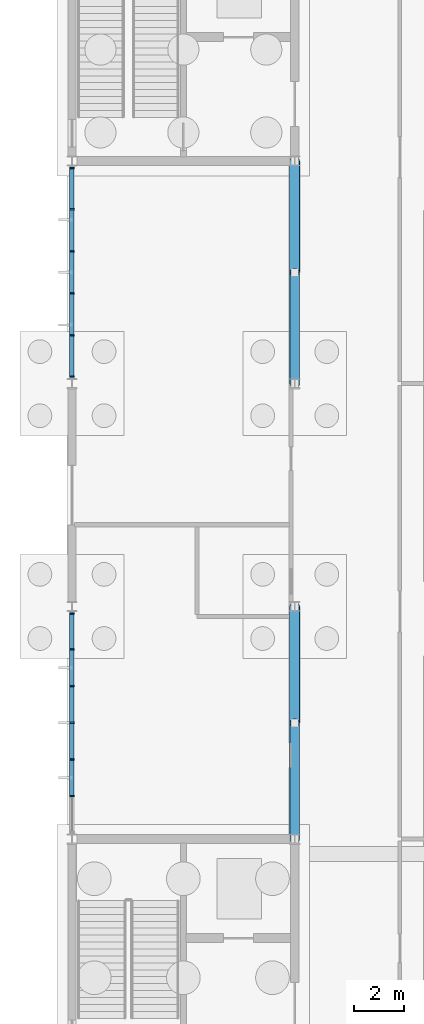
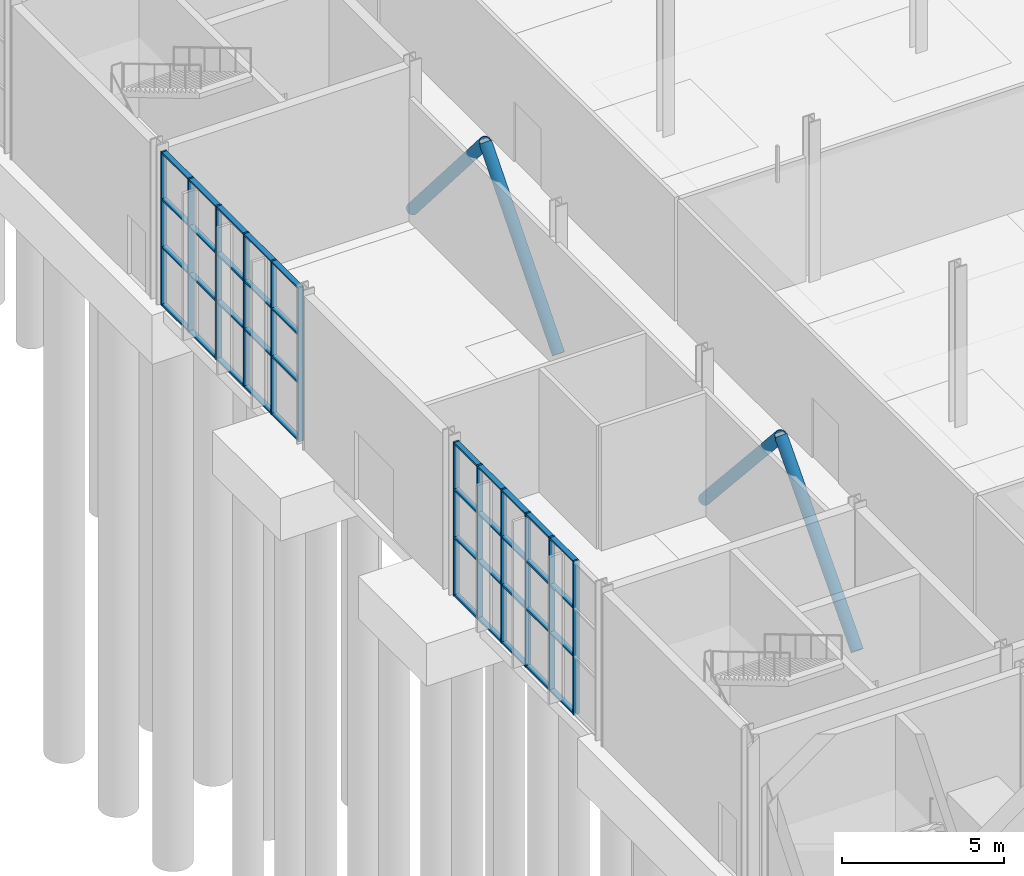
# One storey, part 50 of 131: 56 members, 2 elements without a shape of their own.
"""IFC4 building model written with IfcOpenShell, lengths in metres."""

import ifcopenshell
import ifcopenshell.guid

model = None  # the IFC model being written
_history = None  # IfcOwnerHistory: only IFC2X3 demands one
_inside = {}  # id of a spatial element -> (the spatial element, [elements in it])
_under = {}  # id of a project, library or spatial element -> (it, [spatial elements below it])
_declared = {}  # id of a project -> (the project, [libraries it declares])
_typed = {}  # id of a type object -> (the type object, [elements of that type])
_made_of = {}  # id of a material, layer set ... -> (it, [elements and type objects made of it])


def new_model(schema):
    """Start an empty IFC model of exactly this schema.

    Asked for "IFC4X3", IfcOpenShell would pick the latest addendum, in which some entities
    have other attributes; the version numbers below select the first issue.
    IFC2X3 requires an IfcOwnerHistory on every rooted entity: one is made here for all.
    """
    global model, _history
    if schema == "IFC4X3":
        model = ifcopenshell.file(schema_version=(4, 3, 0, 0))
    else:
        model = ifcopenshell.file(schema=schema)
    _inside.clear()
    _under.clear()
    _declared.clear()
    _typed.clear()
    _made_of.clear()
    _history = None
    if model.schema == "IFC2X3":
        org = make("IfcOrganization", Name="unknown")
        user = make(
            "IfcPersonAndOrganization",
            ThePerson=make("IfcPerson", FamilyName="unknown"),
            TheOrganization=org,
        )
        app = make(
            "IfcApplication",
            ApplicationDeveloper=org,
            Version="unknown",
            ApplicationFullName="unknown",
            ApplicationIdentifier="unknown",
        )
        _history = make(
            "IfcOwnerHistory",
            OwningUser=user,
            OwningApplication=app,
            ChangeAction="ADDED",
            CreationDate=0,
        )
    return model


def make(cls, **values):
    """One entity of the class cls with the attributes given. An attribute that is None is left unset."""
    return model.create_entity(
        cls, **{name: value for name, value in values.items() if value is not None}
    )


def rooted(cls, **values):
    """An entity with a GlobalId (a new one), such as an element, a storey or a relation."""
    return make(cls, GlobalId=ifcopenshell.guid.new(), OwnerHistory=_history, **values)


def si_unit(unit_type, name, prefix=None):
    """IfcSIUnit, for example si_unit("LENGTHUNIT", "METRE", prefix="MILLI")."""
    return make("IfcSIUnit", UnitType=unit_type, Prefix=prefix, Name=name)


def assignment(units):
    """IfcUnitAssignment: the units of a project."""
    return None if units is None else make("IfcUnitAssignment", Units=units)


def point(xyz):
    """IfcCartesianPoint."""
    return None if xyz is None else make("IfcCartesianPoint", Coordinates=xyz)


def direction(xyz):
    """IfcDirection."""
    return None if xyz is None else make("IfcDirection", DirectionRatios=xyz)


def frame(location, z_axis=None, x_axis=None):
    """IfcAxis2Placement3D, a coordinate frame: its origin and axes. An axis left out is left unset."""
    return make(
        "IfcAxis2Placement3D",
        Location=point(location),
        Axis=direction(z_axis),
        RefDirection=direction(x_axis),
    )


def frame_2d(location, x_axis=None):
    """IfcAxis2Placement2D, a coordinate frame in the plane: its origin and x axis."""
    return make(
        "IfcAxis2Placement2D", Location=point(location), RefDirection=direction(x_axis)
    )


def origin():
    """The frame at (0, 0, 0) with its axes left unset."""
    return frame((0.0, 0.0, 0.0))


def origin_2d():
    """The frame at (0, 0) in the plane with its x axis left unset."""
    return frame_2d((0.0, 0.0))


def place(relative_to, where):
    """IfcLocalPlacement: puts the frame where relative to a parent placement (None: the world)."""
    return make(
        "IfcLocalPlacement", PlacementRelTo=relative_to, RelativePlacement=where
    )


def context(
    kind, dimensions, precision=None, world=None, true_north=None, identifier=None
):
    """IfcGeometricRepresentationContext, for example the 3D "Model" context."""
    return make(
        "IfcGeometricRepresentationContext",
        ContextIdentifier=identifier,
        ContextType=kind,
        CoordinateSpaceDimension=dimensions,
        Precision=precision,
        WorldCoordinateSystem=world,
        TrueNorth=true_north,
    )


def subcontext(parent, identifier, kind, view, scale=None):
    """IfcGeometricRepresentationSubContext, for example "Body" below "Model"."""
    return make(
        "IfcGeometricRepresentationSubContext",
        ContextIdentifier=identifier,
        ContextType=kind,
        ParentContext=parent,
        TargetScale=scale,
        TargetView=view,
    )


def project(units=None, contexts=None):
    """IfcProject with its units and contexts."""
    return rooted(
        "IfcProject",
        Name="project",
        RepresentationContexts=contexts,
        UnitsInContext=assignment(units),
    )


def spatial(cls, under=None, at=None, **own):
    """A site, building, storey or space (cls), placed at a placement, below another one or the project."""
    s = rooted(cls, ObjectPlacement=at, **own)
    if under is not None:
        _under.setdefault(under.id(), (under, []))[1].append(s)
    return s


def profile(cls, at=None, kind="AREA", **sizes):
    """A parametric profile (cls). Its sizes go by their IFC names, for example OverallWidth=200.0."""
    return make(cls, ProfileType=kind, Position=at, **sizes)


def rectangle(**sizes):
    """IfcRectangleProfileDef."""
    return profile("IfcRectangleProfileDef", **sizes)


def hollow_circle(**sizes):
    """IfcCircleHollowProfileDef."""
    return profile("IfcCircleHollowProfileDef", **sizes)


def extrude(swept, where, along, depth):
    """IfcExtrudedAreaSolid: the profile swept, set in the frame where, extruded along a direction by depth."""
    return make(
        "IfcExtrudedAreaSolid",
        SweptArea=swept,
        Position=where,
        ExtrudedDirection=direction(along),
        Depth=depth,
    )


def shape(context_of_items, identifier, shape_type, items):
    """IfcShapeRepresentation: the items that make up one representation, for example the "Body"."""
    return make(
        "IfcShapeRepresentation",
        ContextOfItems=context_of_items,
        RepresentationIdentifier=identifier,
        RepresentationType=shape_type,
        Items=items,
    )


def material(Name=None, Category=None):
    """IfcMaterial."""
    return make("IfcMaterial", Name=Name, Category=Category)


def layer(
    of_material, thickness, ventilated=None, Name=None, Category=None, Priority=None
):
    """IfcMaterialLayer: one layer of a wall or slab, of a material (None: an air gap)."""
    return make(
        "IfcMaterialLayer",
        Material=of_material,
        LayerThickness=thickness,
        IsVentilated=ventilated,
        Name=Name,
        Category=Category,
        Priority=Priority,
    )


def layer_set(layers, Name=None):
    """IfcMaterialLayerSet."""
    return make("IfcMaterialLayerSet", MaterialLayers=layers, LayerSetName=Name)


def material_profile(
    of_material, cross_section, Name=None, Category=None, Priority=None
):
    """IfcMaterialProfile: a cross section and its material."""
    return make(
        "IfcMaterialProfile",
        Name=Name,
        Material=of_material,
        Profile=cross_section,
        Priority=Priority,
        Category=Category,
    )


def profile_set(profiles, Name=None, composite=None):
    """IfcMaterialProfileSet."""
    return make(
        "IfcMaterialProfileSet",
        Name=Name,
        MaterialProfiles=profiles,
        CompositeProfile=composite,
    )


def made_of(thing, what):
    """Note that an element or type object is made of a material, layer set ...; save() writes the relation."""
    if what is not None:
        _made_of.setdefault(what.id(), (what, []))[1].append(thing)
    return thing


def type_object(cls, material=None, **own):
    """A type object (cls), such as IfcWallType, which elements share."""
    return made_of(rooted(cls, **own), material)


def element(
    cls,
    number,
    at=None,
    inside=None,
    cuts=None,
    type_object=None,
    material=None,
    context=None,
    identifier="Body",
    shape_type=None,
    held_by="IfcProductDefinitionShape",
    body=None,
    shapes=None,
    **own,
):
    """One element of the class cls, such as IfcWall. Its Tag is "e" and its number.

    at: its placement. inside: the storey or other place that contains it. cuts: it is an
    opening in that element (IfcRelVoidsElement). A single representation is given by context,
    identifier, shape_type and body (its items); several are given by shapes. held_by: the class
    of the entity that holds the representations. save() writes the other relations.
    """
    e = rooted(cls, Tag="e%d" % number, ObjectPlacement=at, **own)
    if body is not None:
        shapes = [shape(context, identifier, shape_type, body)]
    if shapes is not None:
        e.Representation = make(held_by, Representations=shapes)
    if inside is not None:
        _inside.setdefault(inside.id(), (inside, []))[1].append(e)
    if cuts is not None:
        rooted(
            "IfcRelVoidsElement", RelatingBuildingElement=cuts, RelatedOpeningElement=e
        )
    if type_object is not None:
        _typed.setdefault(type_object.id(), (type_object, []))[1].append(e)
    return made_of(e, material)


def aggregate(whole, parts):
    """IfcRelAggregates: a whole, such as a stair, and the parts it consists of."""
    return rooted("IfcRelAggregates", RelatingObject=whole, RelatedObjects=parts)


def save(model, path):
    """Write the relations noted so far, then the file.

    IfcRelAggregates (storeys below a building ...), IfcRelContainedInSpatialStructure (elements
    in a storey), IfcRelDefinesByType, IfcRelAssociatesMaterial and IfcRelDeclares: one each for
    every whole, place, type object, material and project.
    """
    for whole, parts in _under.values():
        aggregate(whole, parts)
    for where, things in _inside.values():
        rooted(
            "IfcRelContainedInSpatialStructure",
            RelatedElements=things,
            RelatingStructure=where,
        )
    for kind, things in _typed.values():
        rooted("IfcRelDefinesByType", RelatedObjects=things, RelatingType=kind)
    for what, things in _made_of.values():
        rooted("IfcRelAssociatesMaterial", RelatedObjects=things, RelatingMaterial=what)
    for by, libraries in _declared.values():
        rooted("IfcRelDeclares", RelatingContext=by, RelatedDefinitions=libraries)
    model.write(path)


model = new_model("IFC4")

# Units and contexts
model_context = context("Model", 3, precision=1e-05, world=origin(), true_north=direction((0.0, 1.0)))
body_context = subcontext(model_context, "Body", "Model", "MODEL_VIEW")
ifc_project = project(units=[si_unit("LENGTHUNIT", "METRE"), si_unit("AREAUNIT", "SQUARE_METRE"), si_unit("VOLUMEUNIT", "CUBIC_METRE"), si_unit("PLANEANGLEUNIT", "RADIAN"), si_unit("MASSUNIT", "GRAM", prefix="KILO")], contexts=[model_context])

# Site, building, storey
site_placement = place(None, origin())
site = spatial("IfcSite", under=ifc_project, at=site_placement, CompositionType="ELEMENT")
building_placement = place(site_placement, origin())
building = spatial("IfcBuilding", under=site, at=building_placement, Name="Cazmaro Siding Exhibition Halls", CompositionType="ELEMENT")
storey_placement = place(building_placement, origin())
storey = spatial("IfcBuildingStorey", under=building, at=storey_placement, Name="L00", CompositionType="ELEMENT", Elevation=0.0)

# Curtain wall, members
ifc_material_1 = material(Name="Anodized Bronze Aluminum and Solar-Control Low-E Glazing", Category="aluminium")
ifc_layer = layer(ifc_material_1, 0.199951171875)
ifc_layer_set = layer_set([ifc_layer], Name="Anodized Bronze Aluminum and Solar-Control Low-E Glazing")
curtain_wall_type = type_object("IfcCurtainWallType", Name="CWS-02", PredefinedType="USERDEFINED", material=ifc_layer_set)
curtain_wall_1_placement = place(storey_placement, origin())
curtain_wall_1 = element("IfcCurtainWall", 1, at=curtain_wall_1_placement, inside=storey, type_object=curtain_wall_type, Name="Glazed Curtain Wall CWS-02 CW-224", ObjectType="GLAZED CURTAIN WALL", PredefinedType="USERDEFINED")
ifc_material_2 = material(Name="Anodized Bronze Extruded Aluminum", Category="aluminium")
ifc_material_profile_1 = material_profile(ifc_material_2, rectangle(XDim=0.199951171875, YDim=0.06494140625, at=origin_2d()), Name="CWM-02")
ifc_profile_set_1 = profile_set([ifc_material_profile_1], Name="Anodized Bronze Extruded Aluminum")
member_type_1 = type_object("IfcMemberType", Name="CWM-02", PredefinedType="MULLION", material=ifc_profile_set_1)
member_1_placement = place(storey_placement, frame((0.0, 72.714599609375, 0.0), z_axis=(0.0, 0.0, 1.0), x_axis=(1.0, 0.0, 0.0)))
member_1 = element("IfcMember", 2, at=member_1_placement, type_object=member_type_1, Name="CWS-02 mullion 1", PredefinedType="MULLION", context=body_context, shape_type="SweptSolid", body=[
    extrude(rectangle(XDim=0.199951171875, YDim=0.06494140625, at=origin_2d()), origin(), (0.0, 0.0, 1.0), 5.780029296875),
])
member_2_placement = place(storey_placement, frame((0.0, 71.2646484375, 0.0), z_axis=(0.0, 0.0, 1.0), x_axis=(1.0, 0.0, 0.0)))
member_2 = element("IfcMember", 3, at=member_2_placement, type_object=member_type_1, Name="CWS-02 mullion 2", PredefinedType="MULLION", context=body_context, shape_type="SweptSolid", body=[
    extrude(rectangle(XDim=0.199951171875, YDim=0.06494140625, at=origin_2d()), origin(), (0.0, 0.0, 1.0), 5.780029296875),
])
member_3_placement = place(storey_placement, frame((0.0, 69.7822265625, 0.0), z_axis=(0.0, 0.0, 1.0), x_axis=(1.0, 0.0, 0.0)))
member_3 = element("IfcMember", 4, at=member_3_placement, type_object=member_type_1, Name="CWS-02 mullion 3", PredefinedType="MULLION", context=body_context, shape_type="SweptSolid", body=[
    extrude(rectangle(XDim=0.199951171875, YDim=0.06494140625, at=origin_2d()), origin(), (0.0, 0.0, 1.0), 5.780029296875),
])
member_4_placement = place(storey_placement, frame((0.0, 68.300048828125, 0.0), z_axis=(0.0, 0.0, 1.0), x_axis=(1.0, 0.0, 0.0)))
member_4 = element("IfcMember", 5, at=member_4_placement, type_object=member_type_1, Name="CWS-02 mullion 4", PredefinedType="MULLION", context=body_context, shape_type="SweptSolid", body=[
    extrude(rectangle(XDim=0.199951171875, YDim=0.06494140625, at=origin_2d()), origin(), (0.0, 0.0, 1.0), 5.780029296875),
])
member_5_placement = place(storey_placement, frame((0.0, 66.817626953125, 0.0), z_axis=(0.0, 0.0, 1.0), x_axis=(1.0, 0.0, 0.0)))
member_5 = element("IfcMember", 6, at=member_5_placement, type_object=member_type_1, Name="CWS-02 mullion 5", PredefinedType="MULLION", context=body_context, shape_type="SweptSolid", body=[
    extrude(rectangle(XDim=0.199951171875, YDim=0.06494140625, at=origin_2d()), origin(), (0.0, 0.0, 1.0), 5.780029296875),
])
member_6_placement = place(storey_placement, frame((0.0, 65.33544921875, 0.0), z_axis=(0.0, 0.0, 1.0), x_axis=(1.0, 0.0, 0.0)))
member_6 = element("IfcMember", 7, at=member_6_placement, type_object=member_type_1, Name="CWS-02 mullion 6", PredefinedType="MULLION", context=body_context, shape_type="SweptSolid", body=[
    extrude(rectangle(XDim=0.199951171875, YDim=0.06494140625, at=origin_2d()), origin(), (0.0, 0.0, 1.0), 5.780029296875),
])

curtain_wall_2_placement = place(storey_placement, origin())
curtain_wall_2 = element("IfcCurtainWall", 8, at=curtain_wall_2_placement, inside=storey, type_object=curtain_wall_type, Name="Glazed Curtain Wall CWS-02 CW-227", ObjectType="GLAZED CURTAIN WALL", PredefinedType="USERDEFINED")
member_7_placement = place(storey_placement, frame((0.0, 90.714599609375, 0.0), z_axis=(0.0, 0.0, 1.0), x_axis=(1.0, 0.0, 0.0)))
member_7 = element("IfcMember", 9, at=member_7_placement, type_object=member_type_1, Name="CWS-02 mullion 1", PredefinedType="MULLION", context=body_context, shape_type="SweptSolid", body=[
    extrude(rectangle(XDim=0.199951171875, YDim=0.06494140625, at=origin_2d()), origin(), (0.0, 0.0, 1.0), 5.780029296875),
])
member_8_placement = place(storey_placement, frame((0.0, 89.048095703125, 0.0), z_axis=(0.0, 0.0, 1.0), x_axis=(1.0, 0.0, 0.0)))
member_8 = element("IfcMember", 10, at=member_8_placement, type_object=member_type_1, Name="CWS-02 mullion 2", PredefinedType="MULLION", context=body_context, shape_type="SweptSolid", body=[
    extrude(rectangle(XDim=0.199951171875, YDim=0.06494140625, at=origin_2d()), origin(), (0.0, 0.0, 1.0), 5.780029296875),
])
member_9_placement = place(storey_placement, frame((0.0, 87.349365234375, 0.0), z_axis=(0.0, 0.0, 1.0), x_axis=(1.0, 0.0, 0.0)))
member_9 = element("IfcMember", 11, at=member_9_placement, type_object=member_type_1, Name="CWS-02 mullion 3", PredefinedType="MULLION", context=body_context, shape_type="SweptSolid", body=[
    extrude(rectangle(XDim=0.199951171875, YDim=0.06494140625, at=origin_2d()), origin(), (0.0, 0.0, 1.0), 5.780029296875),
])
member_10_placement = place(storey_placement, frame((0.0, 85.650634765625, 0.0), z_axis=(0.0, 0.0, 1.0), x_axis=(1.0, 0.0, 0.0)))
member_10 = element("IfcMember", 12, at=member_10_placement, type_object=member_type_1, Name="CWS-02 mullion 4", PredefinedType="MULLION", context=body_context, shape_type="SweptSolid", body=[
    extrude(rectangle(XDim=0.199951171875, YDim=0.06494140625, at=origin_2d()), origin(), (0.0, 0.0, 1.0), 5.780029296875),
])
member_11_placement = place(storey_placement, frame((0.0, 83.951904296875, 0.0), z_axis=(0.0, 0.0, 1.0), x_axis=(1.0, 0.0, 0.0)))
member_11 = element("IfcMember", 13, at=member_11_placement, type_object=member_type_1, Name="CWS-02 mullion 5", PredefinedType="MULLION", context=body_context, shape_type="SweptSolid", body=[
    extrude(rectangle(XDim=0.199951171875, YDim=0.06494140625, at=origin_2d()), origin(), (0.0, 0.0, 1.0), 5.780029296875),
])
member_12_placement = place(storey_placement, frame((0.0, 82.285400390625, 0.0), z_axis=(0.0, 0.0, 1.0), x_axis=(1.0, 0.0, 0.0)))
member_12 = element("IfcMember", 14, at=member_12_placement, type_object=member_type_1, Name="CWS-02 mullion 6", PredefinedType="MULLION", context=body_context, shape_type="SweptSolid", body=[
    extrude(rectangle(XDim=0.199951171875, YDim=0.06494140625, at=origin_2d()), origin(), (0.0, 0.0, 1.0), 5.780029296875),
])

# Member
ifc_material_3 = material(Name="Anodized Bronze Extruded Aluminum", Category="aluminium")
ifc_material_profile_2 = material_profile(ifc_material_3, rectangle(XDim=0.179931640625, YDim=0.06494140625, at=origin_2d()), Name="CWT-02")
ifc_profile_set_2 = profile_set([ifc_material_profile_2], Name="Anodized Bronze Extruded Aluminum")
member_type_2 = type_object("IfcMemberType", Name="CWT-02", PredefinedType="MULLION", material=ifc_profile_set_2)
member_13_placement = place(storey_placement, frame((0.0, 72.681884765625, 0.032470703125), z_axis=(0.0, -1.0, 0.0), x_axis=(1.0, 0.0, 0.0)))
member_13 = element("IfcMember", 15, at=member_13_placement, type_object=member_type_2, Name="CWS-02 transom 1.1", ObjectType="TRANSOM", PredefinedType="USERDEFINED", context=body_context, shape_type="SweptSolid", body=[
    extrude(rectangle(XDim=0.179931640625, YDim=0.06494140625, at=origin_2d()), origin(), (0.0, 0.0, 1.0), 1.384765625),
])

member_14_placement = place(storey_placement, frame((0.0, 72.681884765625, 2.199951171875), z_axis=(0.0, -1.0, 0.0), x_axis=(1.0, 0.0, 0.0)))
member_14 = element("IfcMember", 16, at=member_14_placement, type_object=member_type_2, Name="CWS-02 transom 1.2", ObjectType="TRANSOM", PredefinedType="USERDEFINED", context=body_context, shape_type="SweptSolid", body=[
    extrude(rectangle(XDim=0.179931640625, YDim=0.06494140625, at=origin_2d()), origin(), (0.0, 0.0, 1.0), 1.384765625),
])

member_15_placement = place(storey_placement, frame((0.0, 72.681884765625, 4.0), z_axis=(0.0, -1.0, 0.0), x_axis=(1.0, 0.0, 0.0)))
member_15 = element("IfcMember", 17, at=member_15_placement, type_object=member_type_2, Name="CWS-02 transom 1.3", ObjectType="TRANSOM", PredefinedType="USERDEFINED", context=body_context, shape_type="SweptSolid", body=[
    extrude(rectangle(XDim=0.179931640625, YDim=0.06494140625, at=origin_2d()), origin(), (0.0, 0.0, 1.0), 1.384765625),
])

member_16_placement = place(storey_placement, frame((0.0, 72.681884765625, 5.74755859375), z_axis=(0.0, -1.0, 0.0), x_axis=(1.0, 0.0, 0.0)))
member_16 = element("IfcMember", 18, at=member_16_placement, type_object=member_type_2, Name="CWS-02 transom 1.4", ObjectType="TRANSOM", PredefinedType="USERDEFINED", context=body_context, shape_type="SweptSolid", body=[
    extrude(rectangle(XDim=0.179931640625, YDim=0.06494140625, at=origin_2d()), origin(), (0.0, 0.0, 1.0), 1.384765625),
])

member_17_placement = place(storey_placement, frame((0.0, 71.232177734375, 0.032470703125), z_axis=(0.0, -1.0, 0.0), x_axis=(1.0, 0.0, 0.0)))
member_17 = element("IfcMember", 19, at=member_17_placement, type_object=member_type_2, Name="CWS-02 transom 2.1", ObjectType="TRANSOM", PredefinedType="USERDEFINED", context=body_context, shape_type="SweptSolid", body=[
    extrude(rectangle(XDim=0.179931640625, YDim=0.06494140625, at=origin_2d()), origin(), (0.0, 0.0, 1.0), 1.417236328125),
])

member_18_placement = place(storey_placement, frame((0.0, 71.232177734375, 2.199951171875), z_axis=(0.0, -1.0, 0.0), x_axis=(1.0, 0.0, 0.0)))
member_18 = element("IfcMember", 20, at=member_18_placement, type_object=member_type_2, Name="CWS-02 transom 2.2", ObjectType="TRANSOM", PredefinedType="USERDEFINED", context=body_context, shape_type="SweptSolid", body=[
    extrude(rectangle(XDim=0.179931640625, YDim=0.06494140625, at=origin_2d()), origin(), (0.0, 0.0, 1.0), 1.417236328125),
])

member_19_placement = place(storey_placement, frame((0.0, 71.232177734375, 4.0), z_axis=(0.0, -1.0, 0.0), x_axis=(1.0, 0.0, 0.0)))
member_19 = element("IfcMember", 21, at=member_19_placement, type_object=member_type_2, Name="CWS-02 transom 2.3", ObjectType="TRANSOM", PredefinedType="USERDEFINED", context=body_context, shape_type="SweptSolid", body=[
    extrude(rectangle(XDim=0.179931640625, YDim=0.06494140625, at=origin_2d()), origin(), (0.0, 0.0, 1.0), 1.417236328125),
])

member_20_placement = place(storey_placement, frame((0.0, 71.232177734375, 5.74755859375), z_axis=(0.0, -1.0, 0.0), x_axis=(1.0, 0.0, 0.0)))
member_20 = element("IfcMember", 22, at=member_20_placement, type_object=member_type_2, Name="CWS-02 transom 2.4", ObjectType="TRANSOM", PredefinedType="USERDEFINED", context=body_context, shape_type="SweptSolid", body=[
    extrude(rectangle(XDim=0.179931640625, YDim=0.06494140625, at=origin_2d()), origin(), (0.0, 0.0, 1.0), 1.417236328125),
])

member_21_placement = place(storey_placement, frame((0.0, 69.749755859375, 0.032470703125), z_axis=(0.0, -1.0, 0.0), x_axis=(1.0, 0.0, 0.0)))
member_21 = element("IfcMember", 23, at=member_21_placement, type_object=member_type_2, Name="CWS-02 transom 3.1", ObjectType="TRANSOM", PredefinedType="USERDEFINED", context=body_context, shape_type="SweptSolid", body=[
    extrude(rectangle(XDim=0.179931640625, YDim=0.06494140625, at=origin_2d()), origin(), (0.0, 0.0, 1.0), 1.417236328125),
])

member_22_placement = place(storey_placement, frame((0.0, 69.749755859375, 2.199951171875), z_axis=(0.0, -1.0, 0.0), x_axis=(1.0, 0.0, 0.0)))
member_22 = element("IfcMember", 24, at=member_22_placement, type_object=member_type_2, Name="CWS-02 transom 3.2", ObjectType="TRANSOM", PredefinedType="USERDEFINED", context=body_context, shape_type="SweptSolid", body=[
    extrude(rectangle(XDim=0.179931640625, YDim=0.06494140625, at=origin_2d()), origin(), (0.0, 0.0, 1.0), 1.417236328125),
])

member_23_placement = place(storey_placement, frame((0.0, 69.749755859375, 4.0), z_axis=(0.0, -1.0, 0.0), x_axis=(1.0, 0.0, 0.0)))
member_23 = element("IfcMember", 25, at=member_23_placement, type_object=member_type_2, Name="CWS-02 transom 3.3", ObjectType="TRANSOM", PredefinedType="USERDEFINED", context=body_context, shape_type="SweptSolid", body=[
    extrude(rectangle(XDim=0.179931640625, YDim=0.06494140625, at=origin_2d()), origin(), (0.0, 0.0, 1.0), 1.417236328125),
])

member_24_placement = place(storey_placement, frame((0.0, 69.749755859375, 5.74755859375), z_axis=(0.0, -1.0, 0.0), x_axis=(1.0, 0.0, 0.0)))
member_24 = element("IfcMember", 26, at=member_24_placement, type_object=member_type_2, Name="CWS-02 transom 3.4", ObjectType="TRANSOM", PredefinedType="USERDEFINED", context=body_context, shape_type="SweptSolid", body=[
    extrude(rectangle(XDim=0.179931640625, YDim=0.06494140625, at=origin_2d()), origin(), (0.0, 0.0, 1.0), 1.417236328125),
])

member_25_placement = place(storey_placement, frame((0.0, 68.267578125, 0.032470703125), z_axis=(0.0, -1.0, 0.0), x_axis=(1.0, 0.0, 0.0)))
member_25 = element("IfcMember", 27, at=member_25_placement, type_object=member_type_2, Name="CWS-02 transom 4.1", ObjectType="TRANSOM", PredefinedType="USERDEFINED", context=body_context, shape_type="SweptSolid", body=[
    extrude(rectangle(XDim=0.179931640625, YDim=0.06494140625, at=origin_2d()), origin(), (0.0, 0.0, 1.0), 1.41748046875),
])

member_26_placement = place(storey_placement, frame((0.0, 68.267578125, 2.199951171875), z_axis=(0.0, -1.0, 0.0), x_axis=(1.0, 0.0, 0.0)))
member_26 = element("IfcMember", 28, at=member_26_placement, type_object=member_type_2, Name="CWS-02 transom 4.2", ObjectType="TRANSOM", PredefinedType="USERDEFINED", context=body_context, shape_type="SweptSolid", body=[
    extrude(rectangle(XDim=0.179931640625, YDim=0.06494140625, at=origin_2d()), origin(), (0.0, 0.0, 1.0), 1.41748046875),
])

member_27_placement = place(storey_placement, frame((0.0, 68.267578125, 4.0), z_axis=(0.0, -1.0, 0.0), x_axis=(1.0, 0.0, 0.0)))
member_27 = element("IfcMember", 29, at=member_27_placement, type_object=member_type_2, Name="CWS-02 transom 4.3", ObjectType="TRANSOM", PredefinedType="USERDEFINED", context=body_context, shape_type="SweptSolid", body=[
    extrude(rectangle(XDim=0.179931640625, YDim=0.06494140625, at=origin_2d()), origin(), (0.0, 0.0, 1.0), 1.41748046875),
])

member_28_placement = place(storey_placement, frame((0.0, 68.267578125, 5.74755859375), z_axis=(0.0, -1.0, 0.0), x_axis=(1.0, 0.0, 0.0)))
member_28 = element("IfcMember", 30, at=member_28_placement, type_object=member_type_2, Name="CWS-02 transom 4.4", ObjectType="TRANSOM", PredefinedType="USERDEFINED", context=body_context, shape_type="SweptSolid", body=[
    extrude(rectangle(XDim=0.179931640625, YDim=0.06494140625, at=origin_2d()), origin(), (0.0, 0.0, 1.0), 1.41748046875),
])

member_29_placement = place(storey_placement, frame((0.0, 66.78515625, 0.032470703125), z_axis=(0.0, -1.0, 0.0), x_axis=(1.0, 0.0, 0.0)))
member_29 = element("IfcMember", 31, at=member_29_placement, type_object=member_type_2, Name="CWS-02 transom 5.1", ObjectType="TRANSOM", PredefinedType="USERDEFINED", context=body_context, shape_type="SweptSolid", body=[
    extrude(rectangle(XDim=0.179931640625, YDim=0.06494140625, at=origin_2d()), origin(), (0.0, 0.0, 1.0), 1.417236328125),
])

member_30_placement = place(storey_placement, frame((0.0, 66.78515625, 2.199951171875), z_axis=(0.0, -1.0, 0.0), x_axis=(1.0, 0.0, 0.0)))
member_30 = element("IfcMember", 32, at=member_30_placement, type_object=member_type_2, Name="CWS-02 transom 5.2", ObjectType="TRANSOM", PredefinedType="USERDEFINED", context=body_context, shape_type="SweptSolid", body=[
    extrude(rectangle(XDim=0.179931640625, YDim=0.06494140625, at=origin_2d()), origin(), (0.0, 0.0, 1.0), 1.417236328125),
])

member_31_placement = place(storey_placement, frame((0.0, 66.78515625, 4.0), z_axis=(0.0, -1.0, 0.0), x_axis=(1.0, 0.0, 0.0)))
member_31 = element("IfcMember", 33, at=member_31_placement, type_object=member_type_2, Name="CWS-02 transom 5.3", ObjectType="TRANSOM", PredefinedType="USERDEFINED", context=body_context, shape_type="SweptSolid", body=[
    extrude(rectangle(XDim=0.179931640625, YDim=0.06494140625, at=origin_2d()), origin(), (0.0, 0.0, 1.0), 1.417236328125),
])

member_32_placement = place(storey_placement, frame((0.0, 66.78515625, 5.74755859375), z_axis=(0.0, -1.0, 0.0), x_axis=(1.0, 0.0, 0.0)))
member_32 = element("IfcMember", 34, at=member_32_placement, type_object=member_type_2, Name="CWS-02 transom 5.4", ObjectType="TRANSOM", PredefinedType="USERDEFINED", context=body_context, shape_type="SweptSolid", body=[
    extrude(rectangle(XDim=0.179931640625, YDim=0.06494140625, at=origin_2d()), origin(), (0.0, 0.0, 1.0), 1.417236328125),
])

aggregate(curtain_wall_1, [member_1, member_2, member_3, member_4, member_5, member_6, member_13, member_14, member_15, member_16, member_17, member_18, member_19, member_20, member_21, member_22, member_23, member_24, member_25, member_26, member_27, member_28, member_29, member_30, member_31, member_32])

member_33_placement = place(storey_placement, frame((0.0, 90.681884765625, 0.032470703125), z_axis=(0.0, -1.0, 0.0), x_axis=(1.0, 0.0, 0.0)))
member_33 = element("IfcMember", 35, at=member_33_placement, type_object=member_type_2, Name="CWS-02 transom 1.1", ObjectType="TRANSOM", PredefinedType="USERDEFINED", context=body_context, shape_type="SweptSolid", body=[
    extrude(rectangle(XDim=0.179931640625, YDim=0.06494140625, at=origin_2d()), origin(), (0.0, 0.0, 1.0), 1.60107421875),
])

member_34_placement = place(storey_placement, frame((0.0, 90.681884765625, 2.199951171875), z_axis=(0.0, -1.0, 0.0), x_axis=(1.0, 0.0, 0.0)))
member_34 = element("IfcMember", 36, at=member_34_placement, type_object=member_type_2, Name="CWS-02 transom 1.2", ObjectType="TRANSOM", PredefinedType="USERDEFINED", context=body_context, shape_type="SweptSolid", body=[
    extrude(rectangle(XDim=0.179931640625, YDim=0.06494140625, at=origin_2d()), origin(), (0.0, 0.0, 1.0), 1.60107421875),
])

member_35_placement = place(storey_placement, frame((0.0, 90.681884765625, 4.0), z_axis=(0.0, -1.0, 0.0), x_axis=(1.0, 0.0, 0.0)))
member_35 = element("IfcMember", 37, at=member_35_placement, type_object=member_type_2, Name="CWS-02 transom 1.3", ObjectType="TRANSOM", PredefinedType="USERDEFINED", context=body_context, shape_type="SweptSolid", body=[
    extrude(rectangle(XDim=0.179931640625, YDim=0.06494140625, at=origin_2d()), origin(), (0.0, 0.0, 1.0), 1.60107421875),
])

member_36_placement = place(storey_placement, frame((0.0, 90.681884765625, 5.74755859375), z_axis=(0.0, -1.0, 0.0), x_axis=(1.0, 0.0, 0.0)))
member_36 = element("IfcMember", 38, at=member_36_placement, type_object=member_type_2, Name="CWS-02 transom 1.4", ObjectType="TRANSOM", PredefinedType="USERDEFINED", context=body_context, shape_type="SweptSolid", body=[
    extrude(rectangle(XDim=0.179931640625, YDim=0.06494140625, at=origin_2d()), origin(), (0.0, 0.0, 1.0), 1.60107421875),
])

member_37_placement = place(storey_placement, frame((0.0, 89.015625, 0.032470703125), z_axis=(0.0, -1.0, 0.0), x_axis=(1.0, 0.0, 0.0)))
member_37 = element("IfcMember", 39, at=member_37_placement, type_object=member_type_2, Name="CWS-02 transom 2.1", ObjectType="TRANSOM", PredefinedType="USERDEFINED", context=body_context, shape_type="SweptSolid", body=[
    extrude(rectangle(XDim=0.179931640625, YDim=0.06494140625, at=origin_2d()), origin(), (0.0, 0.0, 1.0), 1.6337890625),
])

member_38_placement = place(storey_placement, frame((0.0, 89.015625, 2.199951171875), z_axis=(0.0, -1.0, 0.0), x_axis=(1.0, 0.0, 0.0)))
member_38 = element("IfcMember", 40, at=member_38_placement, type_object=member_type_2, Name="CWS-02 transom 2.2", ObjectType="TRANSOM", PredefinedType="USERDEFINED", context=body_context, shape_type="SweptSolid", body=[
    extrude(rectangle(XDim=0.179931640625, YDim=0.06494140625, at=origin_2d()), origin(), (0.0, 0.0, 1.0), 1.6337890625),
])

member_39_placement = place(storey_placement, frame((0.0, 89.015625, 4.0), z_axis=(0.0, -1.0, 0.0), x_axis=(1.0, 0.0, 0.0)))
member_39 = element("IfcMember", 41, at=member_39_placement, type_object=member_type_2, Name="CWS-02 transom 2.3", ObjectType="TRANSOM", PredefinedType="USERDEFINED", context=body_context, shape_type="SweptSolid", body=[
    extrude(rectangle(XDim=0.179931640625, YDim=0.06494140625, at=origin_2d()), origin(), (0.0, 0.0, 1.0), 1.6337890625),
])

member_40_placement = place(storey_placement, frame((0.0, 89.015625, 5.74755859375), z_axis=(0.0, -1.0, 0.0), x_axis=(1.0, 0.0, 0.0)))
member_40 = element("IfcMember", 42, at=member_40_placement, type_object=member_type_2, Name="CWS-02 transom 2.4", ObjectType="TRANSOM", PredefinedType="USERDEFINED", context=body_context, shape_type="SweptSolid", body=[
    extrude(rectangle(XDim=0.179931640625, YDim=0.06494140625, at=origin_2d()), origin(), (0.0, 0.0, 1.0), 1.6337890625),
])

member_41_placement = place(storey_placement, frame((0.0, 87.31689453125, 0.032470703125), z_axis=(0.0, -1.0, 0.0), x_axis=(1.0, 0.0, 0.0)))
member_41 = element("IfcMember", 43, at=member_41_placement, type_object=member_type_2, Name="CWS-02 transom 3.1", ObjectType="TRANSOM", PredefinedType="USERDEFINED", context=body_context, shape_type="SweptSolid", body=[
    extrude(rectangle(XDim=0.179931640625, YDim=0.06494140625, at=origin_2d()), origin(), (0.0, 0.0, 1.0), 1.6337890625),
])

member_42_placement = place(storey_placement, frame((0.0, 87.31689453125, 2.199951171875), z_axis=(0.0, -1.0, 0.0), x_axis=(1.0, 0.0, 0.0)))
member_42 = element("IfcMember", 44, at=member_42_placement, type_object=member_type_2, Name="CWS-02 transom 3.2", ObjectType="TRANSOM", PredefinedType="USERDEFINED", context=body_context, shape_type="SweptSolid", body=[
    extrude(rectangle(XDim=0.179931640625, YDim=0.06494140625, at=origin_2d()), origin(), (0.0, 0.0, 1.0), 1.6337890625),
])

member_43_placement = place(storey_placement, frame((0.0, 87.31689453125, 4.0), z_axis=(0.0, -1.0, 0.0), x_axis=(1.0, 0.0, 0.0)))
member_43 = element("IfcMember", 45, at=member_43_placement, type_object=member_type_2, Name="CWS-02 transom 3.3", ObjectType="TRANSOM", PredefinedType="USERDEFINED", context=body_context, shape_type="SweptSolid", body=[
    extrude(rectangle(XDim=0.179931640625, YDim=0.06494140625, at=origin_2d()), origin(), (0.0, 0.0, 1.0), 1.6337890625),
])

member_44_placement = place(storey_placement, frame((0.0, 87.31689453125, 5.74755859375), z_axis=(0.0, -1.0, 0.0), x_axis=(1.0, 0.0, 0.0)))
member_44 = element("IfcMember", 46, at=member_44_placement, type_object=member_type_2, Name="CWS-02 transom 3.4", ObjectType="TRANSOM", PredefinedType="USERDEFINED", context=body_context, shape_type="SweptSolid", body=[
    extrude(rectangle(XDim=0.179931640625, YDim=0.06494140625, at=origin_2d()), origin(), (0.0, 0.0, 1.0), 1.6337890625),
])

member_45_placement = place(storey_placement, frame((0.0, 85.6181640625, 0.032470703125), z_axis=(0.0, -1.0, 0.0), x_axis=(1.0, 0.0, 0.0)))
member_45 = element("IfcMember", 47, at=member_45_placement, type_object=member_type_2, Name="CWS-02 transom 4.1", ObjectType="TRANSOM", PredefinedType="USERDEFINED", context=body_context, shape_type="SweptSolid", body=[
    extrude(rectangle(XDim=0.179931640625, YDim=0.06494140625, at=origin_2d()), origin(), (0.0, 0.0, 1.0), 1.6337890625),
])

member_46_placement = place(storey_placement, frame((0.0, 85.6181640625, 2.199951171875), z_axis=(0.0, -1.0, 0.0), x_axis=(1.0, 0.0, 0.0)))
member_46 = element("IfcMember", 48, at=member_46_placement, type_object=member_type_2, Name="CWS-02 transom 4.2", ObjectType="TRANSOM", PredefinedType="USERDEFINED", context=body_context, shape_type="SweptSolid", body=[
    extrude(rectangle(XDim=0.179931640625, YDim=0.06494140625, at=origin_2d()), origin(), (0.0, 0.0, 1.0), 1.6337890625),
])

member_47_placement = place(storey_placement, frame((0.0, 85.6181640625, 4.0), z_axis=(0.0, -1.0, 0.0), x_axis=(1.0, 0.0, 0.0)))
member_47 = element("IfcMember", 49, at=member_47_placement, type_object=member_type_2, Name="CWS-02 transom 4.3", ObjectType="TRANSOM", PredefinedType="USERDEFINED", context=body_context, shape_type="SweptSolid", body=[
    extrude(rectangle(XDim=0.179931640625, YDim=0.06494140625, at=origin_2d()), origin(), (0.0, 0.0, 1.0), 1.6337890625),
])

member_48_placement = place(storey_placement, frame((0.0, 85.6181640625, 5.74755859375), z_axis=(0.0, -1.0, 0.0), x_axis=(1.0, 0.0, 0.0)))
member_48 = element("IfcMember", 50, at=member_48_placement, type_object=member_type_2, Name="CWS-02 transom 4.4", ObjectType="TRANSOM", PredefinedType="USERDEFINED", context=body_context, shape_type="SweptSolid", body=[
    extrude(rectangle(XDim=0.179931640625, YDim=0.06494140625, at=origin_2d()), origin(), (0.0, 0.0, 1.0), 1.6337890625),
])

member_49_placement = place(storey_placement, frame((0.0, 83.919189453125, 0.032470703125), z_axis=(0.0, -1.0, 0.0), x_axis=(1.0, 0.0, 0.0)))
member_49 = element("IfcMember", 51, at=member_49_placement, type_object=member_type_2, Name="CWS-02 transom 5.1", ObjectType="TRANSOM", PredefinedType="USERDEFINED", context=body_context, shape_type="SweptSolid", body=[
    extrude(rectangle(XDim=0.179931640625, YDim=0.06494140625, at=origin_2d()), origin(), (0.0, 0.0, 1.0), 1.60107421875),
])

member_50_placement = place(storey_placement, frame((0.0, 83.919189453125, 2.199951171875), z_axis=(0.0, -1.0, 0.0), x_axis=(1.0, 0.0, 0.0)))
member_50 = element("IfcMember", 52, at=member_50_placement, type_object=member_type_2, Name="CWS-02 transom 5.2", ObjectType="TRANSOM", PredefinedType="USERDEFINED", context=body_context, shape_type="SweptSolid", body=[
    extrude(rectangle(XDim=0.179931640625, YDim=0.06494140625, at=origin_2d()), origin(), (0.0, 0.0, 1.0), 1.60107421875),
])

member_51_placement = place(storey_placement, frame((0.0, 83.919189453125, 4.0), z_axis=(0.0, -1.0, 0.0), x_axis=(1.0, 0.0, 0.0)))
member_51 = element("IfcMember", 53, at=member_51_placement, type_object=member_type_2, Name="CWS-02 transom 5.3", ObjectType="TRANSOM", PredefinedType="USERDEFINED", context=body_context, shape_type="SweptSolid", body=[
    extrude(rectangle(XDim=0.179931640625, YDim=0.06494140625, at=origin_2d()), origin(), (0.0, 0.0, 1.0), 1.60107421875),
])

member_52_placement = place(storey_placement, frame((0.0, 83.919189453125, 5.74755859375), z_axis=(0.0, -1.0, 0.0), x_axis=(1.0, 0.0, 0.0)))
member_52 = element("IfcMember", 54, at=member_52_placement, type_object=member_type_2, Name="CWS-02 transom 5.4", ObjectType="TRANSOM", PredefinedType="USERDEFINED", context=body_context, shape_type="SweptSolid", body=[
    extrude(rectangle(XDim=0.179931640625, YDim=0.06494140625, at=origin_2d()), origin(), (0.0, 0.0, 1.0), 1.60107421875),
])

aggregate(curtain_wall_2, [member_7, member_8, member_9, member_10, member_11, member_12, member_33, member_34, member_35, member_36, member_37, member_38, member_39, member_40, member_41, member_42, member_43, member_44, member_45, member_46, member_47, member_48, member_49, member_50, member_51, member_52])

# Members
ifc_material_4 = material(Name="Steel ASTM A500 Grade C", Category="steel")
ifc_material_profile_3 = material_profile(ifc_material_4, hollow_circle(Radius=0.202880859375, WallThickness=0.012939453125, at=origin_2d()), Name="PIPE16XS")
ifc_profile_set_3 = profile_set([ifc_material_profile_3], Name="Steel ASTM A500 Grade C")
member_type_3 = type_object("IfcMemberType", Name="WB-04", PredefinedType="BRACE", material=ifc_profile_set_3)
for number, where, z_axis, x_axis, name in (
    (55, (9.0, 63.60009765625, 0.280029296875), (0.0, 0.668274004202, 0.743915220511), (-1.0, 0.0, 0.0), "BRBF lateral brace WB-04 MEM-3430"),
    (56, (9.0, 73.0, 0.280029296875), (0.0, -0.668274004202, 0.743915220511), (1.0, 0.0, 0.0), "BRBF lateral brace WB-04 MEM-3431"),
):
    element("IfcMember", number, at=place(storey_placement, frame(where, z_axis=z_axis, x_axis=x_axis)), inside=storey, type_object=member_type_3, Name=name, PredefinedType="BRACE", context=body_context, shape_type="SweptSolid", body=[
        extrude(hollow_circle(Radius=0.202880859375, WallThickness=0.012939453125, at=origin_2d()), origin(), (0.0, 0.0, 1.0), 7.032958984375),
    ])
for number, where, z_axis, x_axis, name in (
    (57, (9.0, 82.0, 0.280029296875), (0.0, 0.652084008557, 0.758146717848), (-1.0, 0.0, 0.0), "BRBF lateral brace WB-04 MEM-3432"),
    (58, (9.0, 91.0, 0.280029296875), (0.0, -0.652084008557, 0.758146717848), (1.0, 0.0, 0.0), "BRBF lateral brace WB-04 MEM-3433"),
):
    element("IfcMember", number, at=place(storey_placement, frame(where, z_axis=z_axis, x_axis=x_axis)), inside=storey, type_object=member_type_3, Name=name, PredefinedType="BRACE", context=body_context, shape_type="SweptSolid", body=[
        extrude(hollow_circle(Radius=0.202880859375, WallThickness=0.012939453125, at=origin_2d()), origin(), (0.0, 0.0, 1.0), 6.90087890625),
    ])

save(model, "model.ifc")
